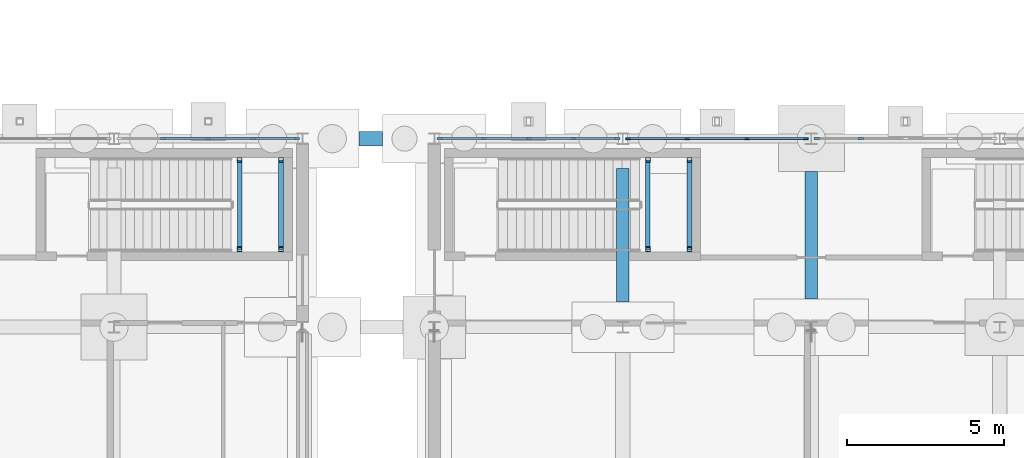
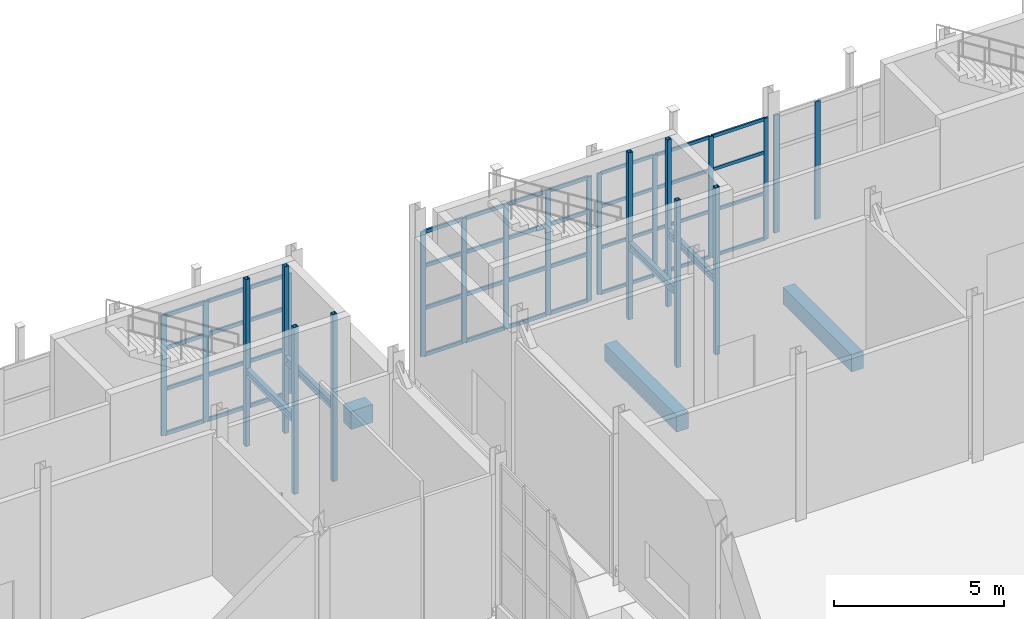
# One storey, part 38 of 120: 63 members, 7 beams, 4 elements without a shape of their own.
"""IFC4 building model written with IfcOpenShell, lengths in metres."""

from ifc_helpers import new_model, si_unit, direction, frame, origin, origin_2d, place, context, subcontext, project, spatial, rectangle, hollow_rectangle, i_section, extrude, material, material_profile, profile_set, type_object, element, aggregate, save


model = new_model("IFC4")

# Units and contexts
model_context = context("Model", 3, precision=1e-05, world=origin(), true_north=direction((0.0, 1.0)))
body_context = subcontext(model_context, "Body", "Model", "MODEL_VIEW")
ifc_project = project(units=[si_unit("LENGTHUNIT", "METRE"), si_unit("AREAUNIT", "SQUARE_METRE"), si_unit("VOLUMEUNIT", "CUBIC_METRE"), si_unit("PLANEANGLEUNIT", "RADIAN"), si_unit("MASSUNIT", "GRAM", prefix="KILO")], contexts=[model_context])

# Site, building, storey
site_placement = place(None, origin())
site = spatial("IfcSite", under=ifc_project, at=site_placement, CompositionType="ELEMENT")
building_placement = place(site_placement, origin())
building = spatial("IfcBuilding", under=site, at=building_placement, Name="Siltcreek Boulevard Central Fire Station", CompositionType="ELEMENT")
storey_placement = place(building_placement, origin())
storey = spatial("IfcBuildingStorey", under=building, at=storey_placement, Name="L01", CompositionType="ELEMENT", Elevation=0.0)

# Members
ifc_material_1 = material(Name="Structural steel ASTM A500 GrC", Category="steel")
ifc_material_profile_1 = material_profile(ifc_material_1, hollow_rectangle(XDim=0.14990234375, YDim=0.14990234375, WallThickness=0.008056640625, at=origin_2d()), Name="HSS150X150X8.0")
ifc_profile_set_1 = profile_set([ifc_material_profile_1], Name="Structural steel ASTM A500 GrC")
member_type_1 = type_object("IfcMemberType", Name="BR_HSS150_8", PredefinedType="BRACE", material=ifc_profile_set_1)
for number, where, z_axis, x_axis, name in (
    (1, (35.800048828125, 50.47998046875, 0.0), (0.0, 0.0, 1.0), (1.0, 0.0, 0.0), "L01 ST-V4B stair landing corner post SW"),
    (2, (35.800048828125, 53.320068359375, 0.0), (0.0, 0.0, 1.0), (1.0, 0.0, 0.0), "L01 ST-V4B stair landing corner post NW"),
    (3, (37.1201171875, 50.47998046875, 0.0), (0.0, 0.0, 1.0), (1.0, 0.0, 0.0), "L01 ST-V4B stair landing corner post SE"),
    (4, (37.1201171875, 53.320068359375, 0.0), (0.0, 0.0, 1.0), (1.0, 0.0, 0.0), "L01 ST-V4B stair landing corner post NE"),
    (5, (48.800048828125, 50.47998046875, 0.0), (0.0, 0.0, 1.0), (1.0, 0.0, 0.0), "L01 ST-V1A stair landing corner post SW"),
    (6, (48.800048828125, 53.320068359375, 0.0), (0.0, 0.0, 1.0), (1.0, 0.0, 0.0), "L01 ST-V1A stair landing corner post NW"),
    (7, (50.1201171875, 50.47998046875, 0.0), (0.0, 0.0, 1.0), (1.0, 0.0, 0.0), "L01 ST-V1A stair landing corner post SE"),
    (8, (50.1201171875, 53.320068359375, 0.0), (0.0, 0.0, 1.0), (1.0, 0.0, 0.0), "L01 ST-V1A stair landing corner post NE"),
):
    element("IfcMember", number, at=place(storey_placement, frame(where, z_axis=z_axis, x_axis=x_axis)), inside=storey, type_object=member_type_1, Name=name, PredefinedType="BRACE", context=body_context, shape_type="SweptSolid", body=[
        extrude(hollow_rectangle(XDim=0.14990234375, YDim=0.14990234375, WallThickness=0.008056640625, at=origin_2d()), origin(), (0.0, 0.0, 1.0), 6.0),
    ])

# Curtain wall, members
ifc_material_2 = material(Name="Anodized aluminum and low-E insulated glazing", Category="aluminium")
curtain_wall_type_1 = type_object("IfcCurtainWallType", Name="CW_SYS_04", PredefinedType="USERDEFINED", material=ifc_material_2)
curtain_wall_1_placement = place(storey_placement, origin())
curtain_wall_1 = element("IfcCurtainWall", 9, at=curtain_wall_1_placement, inside=storey, type_object=curtain_wall_type_1, Name="L01 V1 unitised curtain wall CW-003", ObjectType="CURTAIN WALL", PredefinedType="USERDEFINED")
ifc_material_3 = material(Name="Anodized 6063-T6 aluminum framing", Category="aluminium")
ifc_material_profile_2 = material_profile(ifc_material_3, rectangle(XDim=0.06005859375, YDim=0.14990234375, at=origin_2d()), Name="MULL60X150")
ifc_profile_set_2 = profile_set([ifc_material_profile_2], Name="Anodized 6063-T6 aluminum framing")
member_type_2 = type_object("IfcMemberType", Name="CWM_60X150", PredefinedType="MULLION", material=ifc_profile_set_2)
member_1_placement = place(storey_placement, frame((53.824951171875, 54.0, 0.679931640625), z_axis=(0.0, 0.0, 1.0), x_axis=(0.0, -1.0, 0.0)))
member_1 = element("IfcMember", 10, at=member_1_placement, type_object=member_type_2, Name="CW-003 mullion 1", PredefinedType="MULLION", context=body_context, shape_type="SweptSolid", body=[
    extrude(rectangle(XDim=0.06005859375, YDim=0.14990234375, at=origin_2d()), origin(), (0.0, 0.0, 1.0), 4.35498046875),
])
member_2_placement = place(storey_placement, frame((51.95166015625, 54.0, 0.679931640625), z_axis=(0.0, 0.0, 1.0), x_axis=(0.0, -1.0, 0.0)))
member_2 = element("IfcMember", 11, at=member_2_placement, type_object=member_type_2, Name="CW-003 mullion 2", PredefinedType="MULLION", context=body_context, shape_type="SweptSolid", body=[
    extrude(rectangle(XDim=0.06005859375, YDim=0.14990234375, at=origin_2d()), origin(), (0.0, 0.0, 1.0), 4.35498046875),
])
member_3_placement = place(storey_placement, frame((50.04833984375, 54.0, 0.679931640625), z_axis=(0.0, 0.0, 1.0), x_axis=(0.0, -1.0, 0.0)))
member_3 = element("IfcMember", 12, at=member_3_placement, type_object=member_type_2, Name="CW-003 mullion 3", PredefinedType="MULLION", context=body_context, shape_type="SweptSolid", body=[
    extrude(rectangle(XDim=0.06005859375, YDim=0.14990234375, at=origin_2d()), origin(), (0.0, 0.0, 1.0), 4.35498046875),
])
member_4_placement = place(storey_placement, frame((48.175048828125, 54.0, 0.679931640625), z_axis=(0.0, 0.0, 1.0), x_axis=(0.0, -1.0, 0.0)))
member_4 = element("IfcMember", 13, at=member_4_placement, type_object=member_type_2, Name="CW-003 mullion 4", PredefinedType="MULLION", context=body_context, shape_type="SweptSolid", body=[
    extrude(rectangle(XDim=0.06005859375, YDim=0.14990234375, at=origin_2d()), origin(), (0.0, 0.0, 1.0), 4.35498046875),
])

curtain_wall_type_2 = type_object("IfcCurtainWallType", Name="CW_SYS_03", PredefinedType="USERDEFINED", material=ifc_material_2)
curtain_wall_2_placement = place(storey_placement, origin())
curtain_wall_2 = element("IfcCurtainWall", 14, at=curtain_wall_2_placement, inside=storey, type_object=curtain_wall_type_2, Name="L01 V1 unitised curtain wall CW-002", ObjectType="CURTAIN WALL", PredefinedType="USERDEFINED")
ifc_material_profile_3 = material_profile(ifc_material_3, rectangle(XDim=0.06494140625, YDim=0.175048828125, at=origin_2d()), Name="MULL65X175")
ifc_profile_set_3 = profile_set([ifc_material_profile_3], Name="Anodized 6063-T6 aluminum framing")
member_type_3 = type_object("IfcMemberType", Name="CWM_65X175", PredefinedType="MULLION", material=ifc_profile_set_3)
member_5_placement = place(storey_placement, frame((47.822509765625, 54.0, 0.56005859375), z_axis=(0.0, 0.0, 1.0), x_axis=(0.0, -1.0, 0.0)))
member_5 = element("IfcMember", 15, at=member_5_placement, type_object=member_type_3, Name="CW-002 mullion 1", PredefinedType="MULLION", context=body_context, shape_type="SweptSolid", body=[
    extrude(rectangle(XDim=0.06494140625, YDim=0.175048828125, at=origin_2d()), origin(), (0.0, 0.0, 1.0), 4.474853515625),
])
member_6_placement = place(storey_placement, frame((46.427490234375, 54.0, 0.56005859375), z_axis=(0.0, 0.0, 1.0), x_axis=(0.0, -1.0, 0.0)))
member_6 = element("IfcMember", 16, at=member_6_placement, type_object=member_type_3, Name="CW-002 mullion 2", PredefinedType="MULLION", context=body_context, shape_type="SweptSolid", body=[
    extrude(rectangle(XDim=0.06494140625, YDim=0.175048828125, at=origin_2d()), origin(), (0.0, 0.0, 1.0), 4.474853515625),
])
member_7_placement = place(storey_placement, frame((45.0, 54.0, 0.56005859375), z_axis=(0.0, 0.0, 1.0), x_axis=(0.0, -1.0, 0.0)))
member_7 = element("IfcMember", 17, at=member_7_placement, type_object=member_type_3, Name="CW-002 mullion 3", PredefinedType="MULLION", context=body_context, shape_type="SweptSolid", body=[
    extrude(rectangle(XDim=0.06494140625, YDim=0.175048828125, at=origin_2d()), origin(), (0.0, 0.0, 1.0), 4.474853515625),
])
member_8_placement = place(storey_placement, frame((43.572509765625, 54.0, 0.56005859375), z_axis=(0.0, 0.0, 1.0), x_axis=(0.0, -1.0, 0.0)))
member_8 = element("IfcMember", 18, at=member_8_placement, type_object=member_type_3, Name="CW-002 mullion 4", PredefinedType="MULLION", context=body_context, shape_type="SweptSolid", body=[
    extrude(rectangle(XDim=0.06494140625, YDim=0.175048828125, at=origin_2d()), origin(), (0.0, 0.0, 1.0), 4.474853515625),
])
member_9_placement = place(storey_placement, frame((42.177490234375, 54.0, 0.56005859375), z_axis=(0.0, 0.0, 1.0), x_axis=(0.0, -1.0, 0.0)))
member_9 = element("IfcMember", 19, at=member_9_placement, type_object=member_type_3, Name="CW-002 mullion 5", PredefinedType="MULLION", context=body_context, shape_type="SweptSolid", body=[
    extrude(rectangle(XDim=0.06494140625, YDim=0.175048828125, at=origin_2d()), origin(), (0.0, 0.0, 1.0), 4.474853515625),
])

curtain_wall_type_3 = type_object("IfcCurtainWallType", Name="CW_SYS_05", PredefinedType="USERDEFINED", material=ifc_material_2)
curtain_wall_3_placement = place(storey_placement, origin())
curtain_wall_3 = element("IfcCurtainWall", 20, at=curtain_wall_3_placement, inside=storey, type_object=curtain_wall_type_3, Name="L01 V1 unitised curtain wall CW-004", ObjectType="CURTAIN WALL", PredefinedType="USERDEFINED")
member_10_placement = place(storey_placement, frame((55.572509765625, 54.0, 0.800048828125), z_axis=(0.0, 0.0, 1.0), x_axis=(0.0, -1.0, 0.0)))
member_10 = element("IfcMember", 21, at=member_10_placement, type_object=member_type_3, Name="CW-004 mullion 4", PredefinedType="MULLION", context=body_context, shape_type="SweptSolid", body=[
    extrude(rectangle(XDim=0.06494140625, YDim=0.175048828125, at=origin_2d()), origin(), (0.0, 0.0, 1.0), 4.23486328125),
])
member_11_placement = place(storey_placement, frame((54.177490234375, 54.0, 0.800048828125), z_axis=(0.0, 0.0, 1.0), x_axis=(0.0, -1.0, 0.0)))
member_11 = element("IfcMember", 22, at=member_11_placement, type_object=member_type_3, Name="CW-004 mullion 5", PredefinedType="MULLION", context=body_context, shape_type="SweptSolid", body=[
    extrude(rectangle(XDim=0.06494140625, YDim=0.175048828125, at=origin_2d()), origin(), (0.0, 0.0, 1.0), 4.23486328125),
])
aggregate(curtain_wall_3, [member_10, member_11])

curtain_wall_4_placement = place(storey_placement, origin())
curtain_wall_4 = element("IfcCurtainWall", 23, at=curtain_wall_4_placement, inside=storey, type_object=curtain_wall_type_3, Name="L01 V4 unitised curtain wall CW-094", ObjectType="CURTAIN WALL", PredefinedType="USERDEFINED")
member_12_placement = place(storey_placement, frame((37.62255859375, 54.0, 0.800048828125), z_axis=(0.0, 0.0, 1.0), x_axis=(0.0, -1.0, 0.0)))
member_12 = element("IfcMember", 24, at=member_12_placement, type_object=member_type_3, Name="CW-094 mullion 1", PredefinedType="MULLION", context=body_context, shape_type="SweptSolid", body=[
    extrude(rectangle(XDim=0.06494140625, YDim=0.175048828125, at=origin_2d()), origin(), (0.0, 0.0, 1.0), 4.31298828125),
])
member_13_placement = place(storey_placement, frame((36.2275390625, 54.0, 0.800048828125), z_axis=(0.0, 0.0, 1.0), x_axis=(0.0, -1.0, 0.0)))
member_13 = element("IfcMember", 25, at=member_13_placement, type_object=member_type_3, Name="CW-094 mullion 2", PredefinedType="MULLION", context=body_context, shape_type="SweptSolid", body=[
    extrude(rectangle(XDim=0.06494140625, YDim=0.175048828125, at=origin_2d()), origin(), (0.0, 0.0, 1.0), 4.31298828125),
])
member_14_placement = place(storey_placement, frame((34.800048828125, 54.0, 0.800048828125), z_axis=(0.0, 0.0, 1.0), x_axis=(0.0, -1.0, 0.0)))
member_14 = element("IfcMember", 26, at=member_14_placement, type_object=member_type_3, Name="CW-094 mullion 3", PredefinedType="MULLION", context=body_context, shape_type="SweptSolid", body=[
    extrude(rectangle(XDim=0.06494140625, YDim=0.175048828125, at=origin_2d()), origin(), (0.0, 0.0, 1.0), 4.31298828125),
])
member_15_placement = place(storey_placement, frame((33.37255859375, 54.0, 0.800048828125), z_axis=(0.0, 0.0, 1.0), x_axis=(0.0, -1.0, 0.0)))
member_15 = element("IfcMember", 27, at=member_15_placement, type_object=member_type_3, Name="CW-094 mullion 4", PredefinedType="MULLION", context=body_context, shape_type="SweptSolid", body=[
    extrude(rectangle(XDim=0.06494140625, YDim=0.175048828125, at=origin_2d()), origin(), (0.0, 0.0, 1.0), 4.31298828125),
])

# Member
ifc_material_profile_4 = material_profile(ifc_material_3, rectangle(XDim=0.06005859375, YDim=0.114990234375, at=origin_2d()), Name="TRAN60X115")
ifc_profile_set_4 = profile_set([ifc_material_profile_4], Name="Anodized 6063-T6 aluminum framing")
member_type_4 = type_object("IfcMemberType", Name="CWT_60X115", PredefinedType="USERDEFINED", material=ifc_profile_set_4)
member_16_placement = place(storey_placement, frame((53.794921875, 54.0, 0.7099609375), z_axis=(-1.0, 0.0, 0.0), x_axis=(0.0, -1.0, 0.0)))
member_16 = element("IfcMember", 28, at=member_16_placement, type_object=member_type_4, Name="CW-003 transom 1.1", ObjectType="TRANSOM", PredefinedType="USERDEFINED", context=body_context, shape_type="SweptSolid", body=[
    extrude(rectangle(XDim=0.06005859375, YDim=0.114990234375, at=origin_2d()), origin(), (0.0, 0.0, 1.0), 1.813232421875),
])

member_17_placement = place(storey_placement, frame((53.794921875, 54.0, 2.3349609375), z_axis=(-1.0, 0.0, 0.0), x_axis=(0.0, -1.0, 0.0)))
member_17 = element("IfcMember", 29, at=member_17_placement, type_object=member_type_4, Name="CW-003 transom 1.2", ObjectType="TRANSOM", PredefinedType="USERDEFINED", context=body_context, shape_type="SweptSolid", body=[
    extrude(rectangle(XDim=0.06005859375, YDim=0.114990234375, at=origin_2d()), origin(), (0.0, 0.0, 1.0), 1.813232421875),
])

member_18_placement = place(storey_placement, frame((53.794921875, 54.0, 3.815673828125), z_axis=(-1.0, 0.0, 0.0), x_axis=(0.0, -1.0, 0.0)))
member_18 = element("IfcMember", 30, at=member_18_placement, type_object=member_type_4, Name="CW-003 transom 1.3", ObjectType="TRANSOM", PredefinedType="USERDEFINED", context=body_context, shape_type="SweptSolid", body=[
    extrude(rectangle(XDim=0.06005859375, YDim=0.114990234375, at=origin_2d()), origin(), (0.0, 0.0, 1.0), 1.813232421875),
])

member_19_placement = place(storey_placement, frame((53.794921875, 54.0, 5.0048828125), z_axis=(-1.0, 0.0, 0.0), x_axis=(0.0, -1.0, 0.0)))
member_19 = element("IfcMember", 31, at=member_19_placement, type_object=member_type_4, Name="CW-003 transom 1.4", ObjectType="TRANSOM", PredefinedType="USERDEFINED", context=body_context, shape_type="SweptSolid", body=[
    extrude(rectangle(XDim=0.06005859375, YDim=0.114990234375, at=origin_2d()), origin(), (0.0, 0.0, 1.0), 1.813232421875),
])

member_20_placement = place(storey_placement, frame((51.921630859375, 54.0, 0.7099609375), z_axis=(-1.0, 0.0, 0.0), x_axis=(0.0, -1.0, 0.0)))
member_20 = element("IfcMember", 32, at=member_20_placement, type_object=member_type_4, Name="CW-003 transom 2.1", ObjectType="TRANSOM", PredefinedType="USERDEFINED", context=body_context, shape_type="SweptSolid", body=[
    extrude(rectangle(XDim=0.06005859375, YDim=0.114990234375, at=origin_2d()), origin(), (0.0, 0.0, 1.0), 1.84326171875),
])

member_21_placement = place(storey_placement, frame((51.921630859375, 54.0, 2.3349609375), z_axis=(-1.0, 0.0, 0.0), x_axis=(0.0, -1.0, 0.0)))
member_21 = element("IfcMember", 33, at=member_21_placement, type_object=member_type_4, Name="CW-003 transom 2.2", ObjectType="TRANSOM", PredefinedType="USERDEFINED", context=body_context, shape_type="SweptSolid", body=[
    extrude(rectangle(XDim=0.06005859375, YDim=0.114990234375, at=origin_2d()), origin(), (0.0, 0.0, 1.0), 1.84326171875),
])

member_22_placement = place(storey_placement, frame((51.921630859375, 54.0, 3.815673828125), z_axis=(-1.0, 0.0, 0.0), x_axis=(0.0, -1.0, 0.0)))
member_22 = element("IfcMember", 34, at=member_22_placement, type_object=member_type_4, Name="CW-003 transom 2.3", ObjectType="TRANSOM", PredefinedType="USERDEFINED", context=body_context, shape_type="SweptSolid", body=[
    extrude(rectangle(XDim=0.06005859375, YDim=0.114990234375, at=origin_2d()), origin(), (0.0, 0.0, 1.0), 1.84326171875),
])

member_23_placement = place(storey_placement, frame((51.921630859375, 54.0, 5.0048828125), z_axis=(-1.0, 0.0, 0.0), x_axis=(0.0, -1.0, 0.0)))
member_23 = element("IfcMember", 35, at=member_23_placement, type_object=member_type_4, Name="CW-003 transom 2.4", ObjectType="TRANSOM", PredefinedType="USERDEFINED", context=body_context, shape_type="SweptSolid", body=[
    extrude(rectangle(XDim=0.06005859375, YDim=0.114990234375, at=origin_2d()), origin(), (0.0, 0.0, 1.0), 1.84326171875),
])

member_24_placement = place(storey_placement, frame((50.018310546875, 54.0, 0.7099609375), z_axis=(-1.0, 0.0, 0.0), x_axis=(0.0, -1.0, 0.0)))
member_24 = element("IfcMember", 36, at=member_24_placement, type_object=member_type_4, Name="CW-003 transom 3.1", ObjectType="TRANSOM", PredefinedType="USERDEFINED", context=body_context, shape_type="SweptSolid", body=[
    extrude(rectangle(XDim=0.06005859375, YDim=0.114990234375, at=origin_2d()), origin(), (0.0, 0.0, 1.0), 1.813232421875),
])

member_25_placement = place(storey_placement, frame((50.018310546875, 54.0, 2.3349609375), z_axis=(-1.0, 0.0, 0.0), x_axis=(0.0, -1.0, 0.0)))
member_25 = element("IfcMember", 37, at=member_25_placement, type_object=member_type_4, Name="CW-003 transom 3.2", ObjectType="TRANSOM", PredefinedType="USERDEFINED", context=body_context, shape_type="SweptSolid", body=[
    extrude(rectangle(XDim=0.06005859375, YDim=0.114990234375, at=origin_2d()), origin(), (0.0, 0.0, 1.0), 1.813232421875),
])

member_26_placement = place(storey_placement, frame((50.018310546875, 54.0, 3.815673828125), z_axis=(-1.0, 0.0, 0.0), x_axis=(0.0, -1.0, 0.0)))
member_26 = element("IfcMember", 38, at=member_26_placement, type_object=member_type_4, Name="CW-003 transom 3.3", ObjectType="TRANSOM", PredefinedType="USERDEFINED", context=body_context, shape_type="SweptSolid", body=[
    extrude(rectangle(XDim=0.06005859375, YDim=0.114990234375, at=origin_2d()), origin(), (0.0, 0.0, 1.0), 1.813232421875),
])

member_27_placement = place(storey_placement, frame((50.018310546875, 54.0, 5.0048828125), z_axis=(-1.0, 0.0, 0.0), x_axis=(0.0, -1.0, 0.0)))
member_27 = element("IfcMember", 39, at=member_27_placement, type_object=member_type_4, Name="CW-003 transom 3.4", ObjectType="TRANSOM", PredefinedType="USERDEFINED", context=body_context, shape_type="SweptSolid", body=[
    extrude(rectangle(XDim=0.06005859375, YDim=0.114990234375, at=origin_2d()), origin(), (0.0, 0.0, 1.0), 1.813232421875),
])

aggregate(curtain_wall_1, [member_1, member_2, member_3, member_4, member_16, member_17, member_18, member_19, member_20, member_21, member_22, member_23, member_24, member_25, member_26, member_27])

ifc_material_profile_5 = material_profile(ifc_material_3, rectangle(XDim=0.06494140625, YDim=0.135009765625, at=origin_2d()), Name="TRAN65X135")
ifc_profile_set_5 = profile_set([ifc_material_profile_5], Name="Anodized 6063-T6 aluminum framing")
member_type_5 = type_object("IfcMemberType", Name="CWT_65X135", PredefinedType="USERDEFINED", material=ifc_profile_set_5)
member_28_placement = place(storey_placement, frame((47.7900390625, 54.0, 0.592529296875), z_axis=(-1.0, 0.0, 0.0), x_axis=(0.0, -1.0, 0.0)))
member_28 = element("IfcMember", 40, at=member_28_placement, type_object=member_type_5, Name="CW-002 transom 1.1", ObjectType="TRANSOM", PredefinedType="USERDEFINED", context=body_context, shape_type="SweptSolid", body=[
    extrude(rectangle(XDim=0.06494140625, YDim=0.135009765625, at=origin_2d()), origin(), (0.0, 0.0, 1.0), 1.330078125),
])

member_29_placement = place(storey_placement, frame((47.7900390625, 54.0, 2.260498046875), z_axis=(-1.0, 0.0, 0.0), x_axis=(0.0, -1.0, 0.0)))
member_29 = element("IfcMember", 41, at=member_29_placement, type_object=member_type_5, Name="CW-002 transom 1.2", ObjectType="TRANSOM", PredefinedType="USERDEFINED", context=body_context, shape_type="SweptSolid", body=[
    extrude(rectangle(XDim=0.06494140625, YDim=0.135009765625, at=origin_2d()), origin(), (0.0, 0.0, 1.0), 1.330078125),
])

member_30_placement = place(storey_placement, frame((47.7900390625, 54.0, 3.781982421875), z_axis=(-1.0, 0.0, 0.0), x_axis=(0.0, -1.0, 0.0)))
member_30 = element("IfcMember", 42, at=member_30_placement, type_object=member_type_5, Name="CW-002 transom 1.3", ObjectType="TRANSOM", PredefinedType="USERDEFINED", context=body_context, shape_type="SweptSolid", body=[
    extrude(rectangle(XDim=0.06494140625, YDim=0.135009765625, at=origin_2d()), origin(), (0.0, 0.0, 1.0), 1.330078125),
])

member_31_placement = place(storey_placement, frame((47.7900390625, 54.0, 5.00244140625), z_axis=(-1.0, 0.0, 0.0), x_axis=(0.0, -1.0, 0.0)))
member_31 = element("IfcMember", 43, at=member_31_placement, type_object=member_type_5, Name="CW-002 transom 1.4", ObjectType="TRANSOM", PredefinedType="USERDEFINED", context=body_context, shape_type="SweptSolid", body=[
    extrude(rectangle(XDim=0.06494140625, YDim=0.135009765625, at=origin_2d()), origin(), (0.0, 0.0, 1.0), 1.330078125),
])

member_32_placement = place(storey_placement, frame((46.39501953125, 54.0, 0.592529296875), z_axis=(-1.0, 0.0, 0.0), x_axis=(0.0, -1.0, 0.0)))
member_32 = element("IfcMember", 44, at=member_32_placement, type_object=member_type_5, Name="CW-002 transom 2.1", ObjectType="TRANSOM", PredefinedType="USERDEFINED", context=body_context, shape_type="SweptSolid", body=[
    extrude(rectangle(XDim=0.06494140625, YDim=0.135009765625, at=origin_2d()), origin(), (0.0, 0.0, 1.0), 1.362548828125),
])

member_33_placement = place(storey_placement, frame((46.39501953125, 54.0, 2.260498046875), z_axis=(-1.0, 0.0, 0.0), x_axis=(0.0, -1.0, 0.0)))
member_33 = element("IfcMember", 45, at=member_33_placement, type_object=member_type_5, Name="CW-002 transom 2.2", ObjectType="TRANSOM", PredefinedType="USERDEFINED", context=body_context, shape_type="SweptSolid", body=[
    extrude(rectangle(XDim=0.06494140625, YDim=0.135009765625, at=origin_2d()), origin(), (0.0, 0.0, 1.0), 1.362548828125),
])

member_34_placement = place(storey_placement, frame((46.39501953125, 54.0, 3.781982421875), z_axis=(-1.0, 0.0, 0.0), x_axis=(0.0, -1.0, 0.0)))
member_34 = element("IfcMember", 46, at=member_34_placement, type_object=member_type_5, Name="CW-002 transom 2.3", ObjectType="TRANSOM", PredefinedType="USERDEFINED", context=body_context, shape_type="SweptSolid", body=[
    extrude(rectangle(XDim=0.06494140625, YDim=0.135009765625, at=origin_2d()), origin(), (0.0, 0.0, 1.0), 1.362548828125),
])

member_35_placement = place(storey_placement, frame((46.39501953125, 54.0, 5.00244140625), z_axis=(-1.0, 0.0, 0.0), x_axis=(0.0, -1.0, 0.0)))
member_35 = element("IfcMember", 47, at=member_35_placement, type_object=member_type_5, Name="CW-002 transom 2.4", ObjectType="TRANSOM", PredefinedType="USERDEFINED", context=body_context, shape_type="SweptSolid", body=[
    extrude(rectangle(XDim=0.06494140625, YDim=0.135009765625, at=origin_2d()), origin(), (0.0, 0.0, 1.0), 1.362548828125),
])

member_36_placement = place(storey_placement, frame((44.967529296875, 54.0, 0.592529296875), z_axis=(-1.0, 0.0, 0.0), x_axis=(0.0, -1.0, 0.0)))
member_36 = element("IfcMember", 48, at=member_36_placement, type_object=member_type_5, Name="CW-002 transom 3.1", ObjectType="TRANSOM", PredefinedType="USERDEFINED", context=body_context, shape_type="SweptSolid", body=[
    extrude(rectangle(XDim=0.06494140625, YDim=0.135009765625, at=origin_2d()), origin(), (0.0, 0.0, 1.0), 1.362548828125),
])

member_37_placement = place(storey_placement, frame((44.967529296875, 54.0, 2.260498046875), z_axis=(-1.0, 0.0, 0.0), x_axis=(0.0, -1.0, 0.0)))
member_37 = element("IfcMember", 49, at=member_37_placement, type_object=member_type_5, Name="CW-002 transom 3.2", ObjectType="TRANSOM", PredefinedType="USERDEFINED", context=body_context, shape_type="SweptSolid", body=[
    extrude(rectangle(XDim=0.06494140625, YDim=0.135009765625, at=origin_2d()), origin(), (0.0, 0.0, 1.0), 1.362548828125),
])

member_38_placement = place(storey_placement, frame((44.967529296875, 54.0, 3.781982421875), z_axis=(-1.0, 0.0, 0.0), x_axis=(0.0, -1.0, 0.0)))
member_38 = element("IfcMember", 50, at=member_38_placement, type_object=member_type_5, Name="CW-002 transom 3.3", ObjectType="TRANSOM", PredefinedType="USERDEFINED", context=body_context, shape_type="SweptSolid", body=[
    extrude(rectangle(XDim=0.06494140625, YDim=0.135009765625, at=origin_2d()), origin(), (0.0, 0.0, 1.0), 1.362548828125),
])

member_39_placement = place(storey_placement, frame((44.967529296875, 54.0, 5.00244140625), z_axis=(-1.0, 0.0, 0.0), x_axis=(0.0, -1.0, 0.0)))
member_39 = element("IfcMember", 51, at=member_39_placement, type_object=member_type_5, Name="CW-002 transom 3.4", ObjectType="TRANSOM", PredefinedType="USERDEFINED", context=body_context, shape_type="SweptSolid", body=[
    extrude(rectangle(XDim=0.06494140625, YDim=0.135009765625, at=origin_2d()), origin(), (0.0, 0.0, 1.0), 1.362548828125),
])

member_40_placement = place(storey_placement, frame((43.5400390625, 54.0, 0.592529296875), z_axis=(-1.0, 0.0, 0.0), x_axis=(0.0, -1.0, 0.0)))
member_40 = element("IfcMember", 52, at=member_40_placement, type_object=member_type_5, Name="CW-002 transom 4.1", ObjectType="TRANSOM", PredefinedType="USERDEFINED", context=body_context, shape_type="SweptSolid", body=[
    extrude(rectangle(XDim=0.06494140625, YDim=0.135009765625, at=origin_2d()), origin(), (0.0, 0.0, 1.0), 1.330078125),
])

member_41_placement = place(storey_placement, frame((43.5400390625, 54.0, 2.260498046875), z_axis=(-1.0, 0.0, 0.0), x_axis=(0.0, -1.0, 0.0)))
member_41 = element("IfcMember", 53, at=member_41_placement, type_object=member_type_5, Name="CW-002 transom 4.2", ObjectType="TRANSOM", PredefinedType="USERDEFINED", context=body_context, shape_type="SweptSolid", body=[
    extrude(rectangle(XDim=0.06494140625, YDim=0.135009765625, at=origin_2d()), origin(), (0.0, 0.0, 1.0), 1.330078125),
])

member_42_placement = place(storey_placement, frame((43.5400390625, 54.0, 3.781982421875), z_axis=(-1.0, 0.0, 0.0), x_axis=(0.0, -1.0, 0.0)))
member_42 = element("IfcMember", 54, at=member_42_placement, type_object=member_type_5, Name="CW-002 transom 4.3", ObjectType="TRANSOM", PredefinedType="USERDEFINED", context=body_context, shape_type="SweptSolid", body=[
    extrude(rectangle(XDim=0.06494140625, YDim=0.135009765625, at=origin_2d()), origin(), (0.0, 0.0, 1.0), 1.330078125),
])

member_43_placement = place(storey_placement, frame((43.5400390625, 54.0, 5.00244140625), z_axis=(-1.0, 0.0, 0.0), x_axis=(0.0, -1.0, 0.0)))
member_43 = element("IfcMember", 55, at=member_43_placement, type_object=member_type_5, Name="CW-002 transom 4.4", ObjectType="TRANSOM", PredefinedType="USERDEFINED", context=body_context, shape_type="SweptSolid", body=[
    extrude(rectangle(XDim=0.06494140625, YDim=0.135009765625, at=origin_2d()), origin(), (0.0, 0.0, 1.0), 1.330078125),
])

aggregate(curtain_wall_2, [member_5, member_6, member_7, member_8, member_9, member_28, member_29, member_30, member_31, member_32, member_33, member_34, member_35, member_36, member_37, member_38, member_39, member_40, member_41, member_42, member_43])

member_44_placement = place(storey_placement, frame((37.590087890625, 54.0, 0.83251953125), z_axis=(-1.0, 0.0, 0.0), x_axis=(0.0, -1.0, 0.0)))
member_44 = element("IfcMember", 56, at=member_44_placement, type_object=member_type_5, Name="CW-094 transom 1.1", ObjectType="TRANSOM", PredefinedType="USERDEFINED", context=body_context, shape_type="SweptSolid", body=[
    extrude(rectangle(XDim=0.06494140625, YDim=0.135009765625, at=origin_2d()), origin(), (0.0, 0.0, 1.0), 1.330078125),
])

member_45_placement = place(storey_placement, frame((37.590087890625, 54.0, 2.43896484375), z_axis=(-1.0, 0.0, 0.0), x_axis=(0.0, -1.0, 0.0)))
member_45 = element("IfcMember", 57, at=member_45_placement, type_object=member_type_5, Name="CW-094 transom 1.2", ObjectType="TRANSOM", PredefinedType="USERDEFINED", context=body_context, shape_type="SweptSolid", body=[
    extrude(rectangle(XDim=0.06494140625, YDim=0.135009765625, at=origin_2d()), origin(), (0.0, 0.0, 1.0), 1.330078125),
])

member_46_placement = place(storey_placement, frame((37.590087890625, 54.0, 3.905517578125), z_axis=(-1.0, 0.0, 0.0), x_axis=(0.0, -1.0, 0.0)))
member_46 = element("IfcMember", 58, at=member_46_placement, type_object=member_type_5, Name="CW-094 transom 1.3", ObjectType="TRANSOM", PredefinedType="USERDEFINED", context=body_context, shape_type="SweptSolid", body=[
    extrude(rectangle(XDim=0.06494140625, YDim=0.135009765625, at=origin_2d()), origin(), (0.0, 0.0, 1.0), 1.330078125),
])

member_47_placement = place(storey_placement, frame((37.590087890625, 54.0, 5.08056640625), z_axis=(-1.0, 0.0, 0.0), x_axis=(0.0, -1.0, 0.0)))
member_47 = element("IfcMember", 59, at=member_47_placement, type_object=member_type_5, Name="CW-094 transom 1.4", ObjectType="TRANSOM", PredefinedType="USERDEFINED", context=body_context, shape_type="SweptSolid", body=[
    extrude(rectangle(XDim=0.06494140625, YDim=0.135009765625, at=origin_2d()), origin(), (0.0, 0.0, 1.0), 1.330078125),
])

member_48_placement = place(storey_placement, frame((36.195068359375, 54.0, 0.83251953125), z_axis=(-1.0, 0.0, 0.0), x_axis=(0.0, -1.0, 0.0)))
member_48 = element("IfcMember", 60, at=member_48_placement, type_object=member_type_5, Name="CW-094 transom 2.1", ObjectType="TRANSOM", PredefinedType="USERDEFINED", context=body_context, shape_type="SweptSolid", body=[
    extrude(rectangle(XDim=0.06494140625, YDim=0.135009765625, at=origin_2d()), origin(), (0.0, 0.0, 1.0), 1.362548828125),
])

member_49_placement = place(storey_placement, frame((36.195068359375, 54.0, 2.43896484375), z_axis=(-1.0, 0.0, 0.0), x_axis=(0.0, -1.0, 0.0)))
member_49 = element("IfcMember", 61, at=member_49_placement, type_object=member_type_5, Name="CW-094 transom 2.2", ObjectType="TRANSOM", PredefinedType="USERDEFINED", context=body_context, shape_type="SweptSolid", body=[
    extrude(rectangle(XDim=0.06494140625, YDim=0.135009765625, at=origin_2d()), origin(), (0.0, 0.0, 1.0), 1.362548828125),
])

member_50_placement = place(storey_placement, frame((36.195068359375, 54.0, 3.905517578125), z_axis=(-1.0, 0.0, 0.0), x_axis=(0.0, -1.0, 0.0)))
member_50 = element("IfcMember", 62, at=member_50_placement, type_object=member_type_5, Name="CW-094 transom 2.3", ObjectType="TRANSOM", PredefinedType="USERDEFINED", context=body_context, shape_type="SweptSolid", body=[
    extrude(rectangle(XDim=0.06494140625, YDim=0.135009765625, at=origin_2d()), origin(), (0.0, 0.0, 1.0), 1.362548828125),
])

member_51_placement = place(storey_placement, frame((36.195068359375, 54.0, 5.08056640625), z_axis=(-1.0, 0.0, 0.0), x_axis=(0.0, -1.0, 0.0)))
member_51 = element("IfcMember", 63, at=member_51_placement, type_object=member_type_5, Name="CW-094 transom 2.4", ObjectType="TRANSOM", PredefinedType="USERDEFINED", context=body_context, shape_type="SweptSolid", body=[
    extrude(rectangle(XDim=0.06494140625, YDim=0.135009765625, at=origin_2d()), origin(), (0.0, 0.0, 1.0), 1.362548828125),
])

member_52_placement = place(storey_placement, frame((34.767578125, 54.0, 0.83251953125), z_axis=(-1.0, 0.0, 0.0), x_axis=(0.0, -1.0, 0.0)))
member_52 = element("IfcMember", 64, at=member_52_placement, type_object=member_type_5, Name="CW-094 transom 3.1", ObjectType="TRANSOM", PredefinedType="USERDEFINED", context=body_context, shape_type="SweptSolid", body=[
    extrude(rectangle(XDim=0.06494140625, YDim=0.135009765625, at=origin_2d()), origin(), (0.0, 0.0, 1.0), 1.362548828125),
])

member_53_placement = place(storey_placement, frame((34.767578125, 54.0, 2.43896484375), z_axis=(-1.0, 0.0, 0.0), x_axis=(0.0, -1.0, 0.0)))
member_53 = element("IfcMember", 65, at=member_53_placement, type_object=member_type_5, Name="CW-094 transom 3.2", ObjectType="TRANSOM", PredefinedType="USERDEFINED", context=body_context, shape_type="SweptSolid", body=[
    extrude(rectangle(XDim=0.06494140625, YDim=0.135009765625, at=origin_2d()), origin(), (0.0, 0.0, 1.0), 1.362548828125),
])

member_54_placement = place(storey_placement, frame((34.767578125, 54.0, 3.905517578125), z_axis=(-1.0, 0.0, 0.0), x_axis=(0.0, -1.0, 0.0)))
member_54 = element("IfcMember", 66, at=member_54_placement, type_object=member_type_5, Name="CW-094 transom 3.3", ObjectType="TRANSOM", PredefinedType="USERDEFINED", context=body_context, shape_type="SweptSolid", body=[
    extrude(rectangle(XDim=0.06494140625, YDim=0.135009765625, at=origin_2d()), origin(), (0.0, 0.0, 1.0), 1.362548828125),
])

member_55_placement = place(storey_placement, frame((34.767578125, 54.0, 5.08056640625), z_axis=(-1.0, 0.0, 0.0), x_axis=(0.0, -1.0, 0.0)))
member_55 = element("IfcMember", 67, at=member_55_placement, type_object=member_type_5, Name="CW-094 transom 3.4", ObjectType="TRANSOM", PredefinedType="USERDEFINED", context=body_context, shape_type="SweptSolid", body=[
    extrude(rectangle(XDim=0.06494140625, YDim=0.135009765625, at=origin_2d()), origin(), (0.0, 0.0, 1.0), 1.362548828125),
])

aggregate(curtain_wall_4, [member_12, member_13, member_14, member_15, member_44, member_45, member_46, member_47, member_48, member_49, member_50, member_51, member_52, member_53, member_54, member_55])

# Beams
ifc_material_4 = material(Name="Concrete C35/45", Category="concrete")
ifc_material_profile_6 = material_profile(ifc_material_4, rectangle(XDim=0.39990234375, YDim=0.60009765625, at=origin_2d()), Name="RC400X600")
ifc_profile_set_6 = profile_set([ifc_material_profile_6], Name="Concrete C35/45")
beam_type_1 = type_object("IfcBeamType", Name="GB_RC400X600", PredefinedType="USERDEFINED", material=ifc_profile_set_6)
beam_1_placement = place(storey_placement, frame((48.0, 48.802001953125, -0.7099609375), z_axis=(0.0, 1.0, 0.0), x_axis=(-1.0, 0.0, 0.0)))
element("IfcBeam", 68, at=beam_1_placement, inside=storey, type_object=beam_type_1, Name="Reinforced concrete tie grade beam GB-157", ObjectType="GRADE BEAM", PredefinedType="USERDEFINED", context=body_context, shape_type="SweptSolid", body=[
    extrude(rectangle(XDim=0.39990234375, YDim=0.60009765625, at=origin_2d()), origin(), (0.0, 0.0, 1.0), 4.24609375),
])
beam_2_placement = place(storey_placement, frame((54.0, 48.902099609375, -0.7099609375), z_axis=(0.0, 1.0, 0.0), x_axis=(-1.0, 0.0, 0.0)))
element("IfcBeam", 69, at=beam_2_placement, inside=storey, type_object=beam_type_1, Name="Reinforced concrete tie grade beam GB-165", ObjectType="GRADE BEAM", PredefinedType="USERDEFINED", context=body_context, shape_type="SweptSolid", body=[
    extrude(rectangle(XDim=0.39990234375, YDim=0.60009765625, at=origin_2d()), origin(), (0.0, 0.0, 1.0), 4.0458984375),
])
ifc_material_profile_7 = material_profile(ifc_material_4, rectangle(XDim=0.449951171875, YDim=0.64990234375, at=origin_2d()), Name="RC450X650")
ifc_profile_set_7 = profile_set([ifc_material_profile_7], Name="Concrete C35/45")
beam_type_2 = type_object("IfcBeamType", Name="GB_RC450X650", PredefinedType="USERDEFINED", material=ifc_profile_set_7)
beam_3_placement = place(storey_placement, frame((39.60205078125, 54.0, -0.735107421875), z_axis=(1.0, 0.0, 0.0), x_axis=(0.0, 1.0, 0.0)))
element("IfcBeam", 70, at=beam_3_placement, inside=storey, type_object=beam_type_2, Name="Reinforced concrete tie grade beam GB-122", ObjectType="GRADE BEAM", PredefinedType="USERDEFINED", context=body_context, shape_type="SweptSolid", body=[
    extrude(rectangle(XDim=0.449951171875, YDim=0.64990234375, at=origin_2d()), origin(), (0.0, 0.0, 1.0), 0.745849609375),
])
ifc_material_5 = material(Name="Structural steel ASTM A992 Gr50", Category="steel")
ifc_material_profile_8 = material_profile(ifc_material_5, i_section(OverallWidth=0.14697265625, OverallDepth=0.261962890625, WebThickness=0.006591796875, FlangeThickness=0.01123046875, at=origin_2d()), Name="W250X39")
ifc_profile_set_8 = profile_set([ifc_material_profile_8], Name="Structural steel ASTM A992 Gr50")
beam_type_3 = type_object("IfcBeamType", Name="JST_W250X39", PredefinedType="JOIST", material=ifc_profile_set_8)
for number, where, z_axis, x_axis, name in (
    (71, (35.800048828125, 50.47998046875, 2.6689453125), (0.0, 1.0, 0.0), (-1.0, 0.0, 0.0), "L01 ST-V4B stair landing bearer MIDW"),
    (72, (37.1201171875, 50.47998046875, 2.6689453125), (0.0, 1.0, 0.0), (-1.0, 0.0, 0.0), "L01 ST-V4B stair landing bearer MIDE"),
    (73, (48.800048828125, 50.47998046875, 2.6689453125), (0.0, 1.0, 0.0), (-1.0, 0.0, 0.0), "L01 ST-V1A stair landing bearer MIDW"),
    (74, (50.1201171875, 50.47998046875, 2.6689453125), (0.0, 1.0, 0.0), (-1.0, 0.0, 0.0), "L01 ST-V1A stair landing bearer MIDE"),
):
    element("IfcBeam", number, at=place(storey_placement, frame(where, z_axis=z_axis, x_axis=x_axis)), inside=storey, type_object=beam_type_3, Name=name, PredefinedType="JOIST", context=body_context, shape_type="SweptSolid", body=[
        extrude(i_section(OverallWidth=0.14697265625, OverallDepth=0.261962890625, WebThickness=0.006591796875, FlangeThickness=0.01123046875, at=origin_2d()), origin(), (0.0, 0.0, 1.0), 2.840087890625),
    ])

save(model, "model.ifc")
